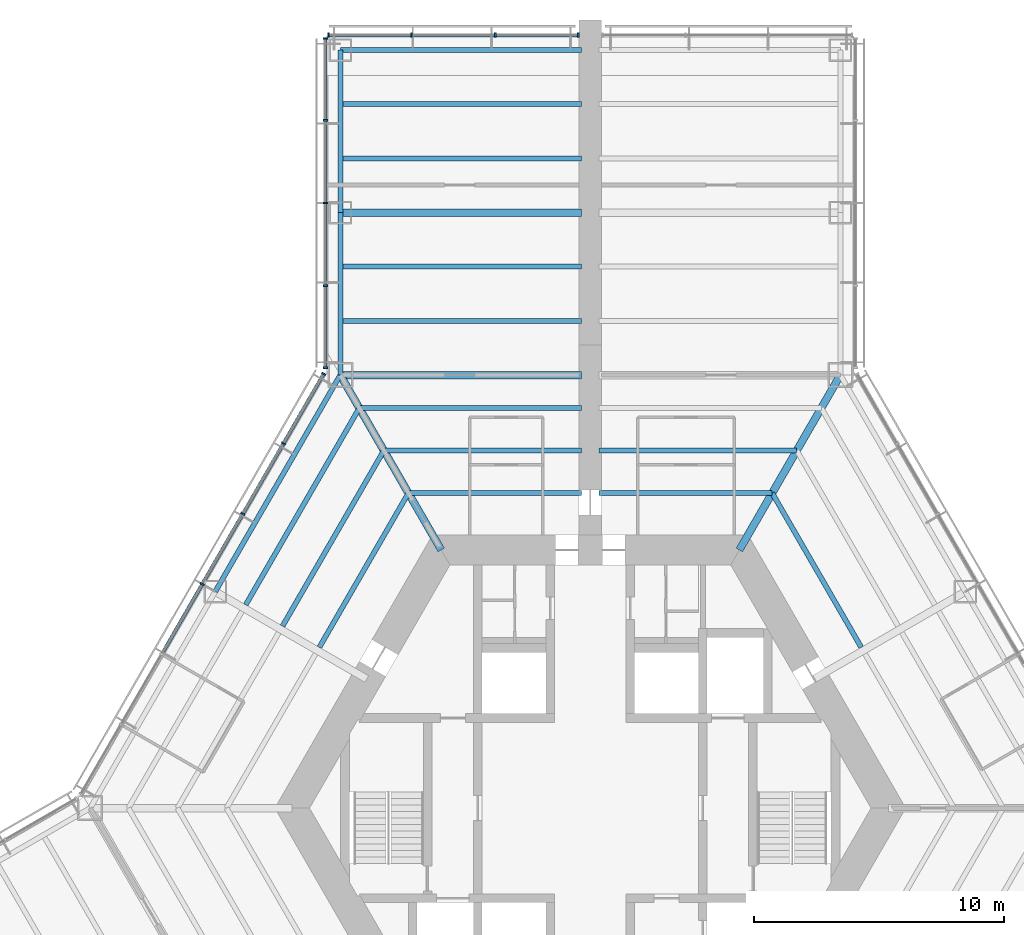
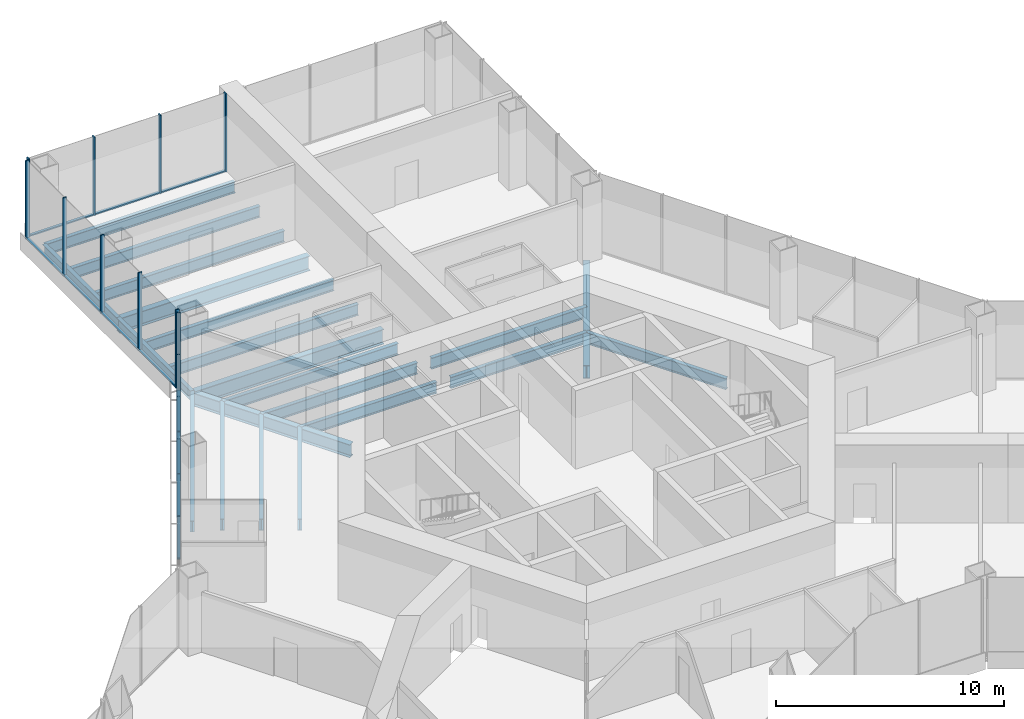
# One storey, part 6 of 16: 24 members, 21 beams, 3 elements without a shape of their own.
"""IFC4 building model written with IfcOpenShell, lengths in metres."""

import ifcopenshell
import ifcopenshell.guid

model = None  # the IFC model being written
_history = None  # IfcOwnerHistory: only IFC2X3 demands one
_inside = {}  # id of a spatial element -> (the spatial element, [elements in it])
_under = {}  # id of a project, library or spatial element -> (it, [spatial elements below it])
_declared = {}  # id of a project -> (the project, [libraries it declares])
_typed = {}  # id of a type object -> (the type object, [elements of that type])
_made_of = {}  # id of a material, layer set ... -> (it, [elements and type objects made of it])


def new_model(schema):
    """Start an empty IFC model of exactly this schema.

    Asked for "IFC4X3", IfcOpenShell would pick the latest addendum, in which some entities
    have other attributes; the version numbers below select the first issue.
    IFC2X3 requires an IfcOwnerHistory on every rooted entity: one is made here for all.
    """
    global model, _history
    if schema == "IFC4X3":
        model = ifcopenshell.file(schema_version=(4, 3, 0, 0))
    else:
        model = ifcopenshell.file(schema=schema)
    _inside.clear()
    _under.clear()
    _declared.clear()
    _typed.clear()
    _made_of.clear()
    _history = None
    if model.schema == "IFC2X3":
        org = make("IfcOrganization", Name="unknown")
        user = make(
            "IfcPersonAndOrganization",
            ThePerson=make("IfcPerson", FamilyName="unknown"),
            TheOrganization=org,
        )
        app = make(
            "IfcApplication",
            ApplicationDeveloper=org,
            Version="unknown",
            ApplicationFullName="unknown",
            ApplicationIdentifier="unknown",
        )
        _history = make(
            "IfcOwnerHistory",
            OwningUser=user,
            OwningApplication=app,
            ChangeAction="ADDED",
            CreationDate=0,
        )
    return model


def make(cls, **values):
    """One entity of the class cls with the attributes given. An attribute that is None is left unset."""
    return model.create_entity(
        cls, **{name: value for name, value in values.items() if value is not None}
    )


def rooted(cls, **values):
    """An entity with a GlobalId (a new one), such as an element, a storey or a relation."""
    return make(cls, GlobalId=ifcopenshell.guid.new(), OwnerHistory=_history, **values)


def si_unit(unit_type, name, prefix=None):
    """IfcSIUnit, for example si_unit("LENGTHUNIT", "METRE", prefix="MILLI")."""
    return make("IfcSIUnit", UnitType=unit_type, Prefix=prefix, Name=name)


def assignment(units):
    """IfcUnitAssignment: the units of a project."""
    return None if units is None else make("IfcUnitAssignment", Units=units)


def point(xyz):
    """IfcCartesianPoint."""
    return None if xyz is None else make("IfcCartesianPoint", Coordinates=xyz)


def direction(xyz):
    """IfcDirection."""
    return None if xyz is None else make("IfcDirection", DirectionRatios=xyz)


def frame(location, z_axis=None, x_axis=None):
    """IfcAxis2Placement3D, a coordinate frame: its origin and axes. An axis left out is left unset."""
    return make(
        "IfcAxis2Placement3D",
        Location=point(location),
        Axis=direction(z_axis),
        RefDirection=direction(x_axis),
    )


def frame_2d(location, x_axis=None):
    """IfcAxis2Placement2D, a coordinate frame in the plane: its origin and x axis."""
    return make(
        "IfcAxis2Placement2D", Location=point(location), RefDirection=direction(x_axis)
    )


def origin():
    """The frame at (0, 0, 0) with its axes left unset."""
    return frame((0.0, 0.0, 0.0))


def origin_2d():
    """The frame at (0, 0) in the plane with its x axis left unset."""
    return frame_2d((0.0, 0.0))


def place(relative_to, where):
    """IfcLocalPlacement: puts the frame where relative to a parent placement (None: the world)."""
    return make(
        "IfcLocalPlacement", PlacementRelTo=relative_to, RelativePlacement=where
    )


def context(
    kind, dimensions, precision=None, world=None, true_north=None, identifier=None
):
    """IfcGeometricRepresentationContext, for example the 3D "Model" context."""
    return make(
        "IfcGeometricRepresentationContext",
        ContextIdentifier=identifier,
        ContextType=kind,
        CoordinateSpaceDimension=dimensions,
        Precision=precision,
        WorldCoordinateSystem=world,
        TrueNorth=true_north,
    )


def subcontext(parent, identifier, kind, view, scale=None):
    """IfcGeometricRepresentationSubContext, for example "Body" below "Model"."""
    return make(
        "IfcGeometricRepresentationSubContext",
        ContextIdentifier=identifier,
        ContextType=kind,
        ParentContext=parent,
        TargetScale=scale,
        TargetView=view,
    )


def project(units=None, contexts=None):
    """IfcProject with its units and contexts."""
    return rooted(
        "IfcProject",
        Name="project",
        RepresentationContexts=contexts,
        UnitsInContext=assignment(units),
    )


def spatial(cls, under=None, at=None, **own):
    """A site, building, storey or space (cls), placed at a placement, below another one or the project."""
    s = rooted(cls, ObjectPlacement=at, **own)
    if under is not None:
        _under.setdefault(under.id(), (under, []))[1].append(s)
    return s


def profile(cls, at=None, kind="AREA", **sizes):
    """A parametric profile (cls). Its sizes go by their IFC names, for example OverallWidth=200.0."""
    return make(cls, ProfileType=kind, Position=at, **sizes)


def rectangle(**sizes):
    """IfcRectangleProfileDef."""
    return profile("IfcRectangleProfileDef", **sizes)


def i_section(**sizes):
    """IfcIShapeProfileDef."""
    return profile("IfcIShapeProfileDef", **sizes)


def extrude(swept, where, along, depth):
    """IfcExtrudedAreaSolid: the profile swept, set in the frame where, extruded along a direction by depth."""
    return make(
        "IfcExtrudedAreaSolid",
        SweptArea=swept,
        Position=where,
        ExtrudedDirection=direction(along),
        Depth=depth,
    )


def shape(context_of_items, identifier, shape_type, items):
    """IfcShapeRepresentation: the items that make up one representation, for example the "Body"."""
    return make(
        "IfcShapeRepresentation",
        ContextOfItems=context_of_items,
        RepresentationIdentifier=identifier,
        RepresentationType=shape_type,
        Items=items,
    )


def material(Name=None, Category=None):
    """IfcMaterial."""
    return make("IfcMaterial", Name=Name, Category=Category)


def material_profile(
    of_material, cross_section, Name=None, Category=None, Priority=None
):
    """IfcMaterialProfile: a cross section and its material."""
    return make(
        "IfcMaterialProfile",
        Name=Name,
        Material=of_material,
        Profile=cross_section,
        Priority=Priority,
        Category=Category,
    )


def profile_set(profiles, Name=None, composite=None):
    """IfcMaterialProfileSet."""
    return make(
        "IfcMaterialProfileSet",
        Name=Name,
        MaterialProfiles=profiles,
        CompositeProfile=composite,
    )


def made_of(thing, what):
    """Note that an element or type object is made of a material, layer set ...; save() writes the relation."""
    if what is not None:
        _made_of.setdefault(what.id(), (what, []))[1].append(thing)
    return thing


def type_object(cls, material=None, **own):
    """A type object (cls), such as IfcWallType, which elements share."""
    return made_of(rooted(cls, **own), material)


def element(
    cls,
    number,
    at=None,
    inside=None,
    cuts=None,
    type_object=None,
    material=None,
    context=None,
    identifier="Body",
    shape_type=None,
    held_by="IfcProductDefinitionShape",
    body=None,
    shapes=None,
    **own,
):
    """One element of the class cls, such as IfcWall. Its Tag is "e" and its number.

    at: its placement. inside: the storey or other place that contains it. cuts: it is an
    opening in that element (IfcRelVoidsElement). A single representation is given by context,
    identifier, shape_type and body (its items); several are given by shapes. held_by: the class
    of the entity that holds the representations. save() writes the other relations.
    """
    e = rooted(cls, Tag="e%d" % number, ObjectPlacement=at, **own)
    if body is not None:
        shapes = [shape(context, identifier, shape_type, body)]
    if shapes is not None:
        e.Representation = make(held_by, Representations=shapes)
    if inside is not None:
        _inside.setdefault(inside.id(), (inside, []))[1].append(e)
    if cuts is not None:
        rooted(
            "IfcRelVoidsElement", RelatingBuildingElement=cuts, RelatedOpeningElement=e
        )
    if type_object is not None:
        _typed.setdefault(type_object.id(), (type_object, []))[1].append(e)
    return made_of(e, material)


def aggregate(whole, parts):
    """IfcRelAggregates: a whole, such as a stair, and the parts it consists of."""
    return rooted("IfcRelAggregates", RelatingObject=whole, RelatedObjects=parts)


def save(model, path):
    """Write the relations noted so far, then the file.

    IfcRelAggregates (storeys below a building ...), IfcRelContainedInSpatialStructure (elements
    in a storey), IfcRelDefinesByType, IfcRelAssociatesMaterial and IfcRelDeclares: one each for
    every whole, place, type object, material and project.
    """
    for whole, parts in _under.values():
        aggregate(whole, parts)
    for where, things in _inside.values():
        rooted(
            "IfcRelContainedInSpatialStructure",
            RelatedElements=things,
            RelatingStructure=where,
        )
    for kind, things in _typed.values():
        rooted("IfcRelDefinesByType", RelatedObjects=things, RelatingType=kind)
    for what, things in _made_of.values():
        rooted("IfcRelAssociatesMaterial", RelatedObjects=things, RelatingMaterial=what)
    for by, libraries in _declared.values():
        rooted("IfcRelDeclares", RelatingContext=by, RelatedDefinitions=libraries)
    model.write(path)


model = new_model("IFC4")

# Units and contexts
model_context = context("Model", 3, precision=1e-05, world=origin(), true_north=direction((0.0, 1.0)))
body_context = subcontext(model_context, "Body", "Model", "MODEL_VIEW")
ifc_project = project(units=[si_unit("LENGTHUNIT", "METRE"), si_unit("AREAUNIT", "SQUARE_METRE"), si_unit("VOLUMEUNIT", "CUBIC_METRE"), si_unit("PLANEANGLEUNIT", "RADIAN"), si_unit("MASSUNIT", "GRAM", prefix="KILO")], contexts=[model_context])

# Site, building, storey
site_placement = place(None, origin())
site = spatial("IfcSite", under=ifc_project, at=site_placement, CompositionType="ELEMENT")
building_placement = place(site_placement, origin())
building = spatial("IfcBuilding", under=site, at=building_placement, Name="Kasaneha Research Tower", CompositionType="ELEMENT")
storey_placement = place(building_placement, frame((0.0, 0.0, 26.800048828125)))
storey = spatial("IfcBuildingStorey", under=building, at=storey_placement, Name="L07", CompositionType="ELEMENT", Elevation=26.800048828125)

# Beams
ifc_material_1 = material(Name="Steel SN490B", Category="steel")
ifc_material_profile_1 = material_profile(ifc_material_1, i_section(OverallWidth=0.199951171875, OverallDepth=0.60009765625, WebThickness=0.010986328125, FlangeThickness=0.01708984375, FilletRadius=0.012939453125, at=origin_2d()), Name="H-600x200x11x17")
ifc_profile_set_1 = profile_set([ifc_material_profile_1], Name="Steel SN490B")
beam_type_1 = type_object("IfcBeamType", Name="B1-1 secondary beam H-600x200x11x17", PredefinedType="JOIST", material=ifc_profile_set_1)
beam_1_placement = place(storey_placement, frame((7.274658203125, 12.60009765625, -0.5), z_axis=(0.499990404686, -0.866030943571, 0.0), x_axis=(0.866030943571, 0.499990404686, 0.0)))
element("IfcBeam", 1, at=beam_1_placement, inside=storey, type_object=beam_type_1, Name="Secondary beam RS030R1 L07", PredefinedType="JOIST", context=body_context, shape_type="SweptSolid", body=[
    extrude(i_section(OverallWidth=0.199951171875, OverallDepth=0.60009765625, WebThickness=0.010986328125, FlangeThickness=0.01708984375, FilletRadius=0.012939453125, at=origin_2d()), origin(), (0.0, 0.0, 1.0), 7.124755859375),
])
beam_2_placement = place(storey_placement, frame((7.274658203125, 12.60009765625, -0.5), z_axis=(-1.0, 0.0, 0.0), x_axis=(0.0, -1.0, 0.0)))
element("IfcBeam", 2, at=beam_2_placement, inside=storey, type_object=beam_type_1, Name="Secondary beam RS090L1 L07", PredefinedType="JOIST", context=body_context, shape_type="SweptSolid", body=[
    extrude(i_section(OverallWidth=0.199951171875, OverallDepth=0.60009765625, WebThickness=0.010986328125, FlangeThickness=0.01708984375, FilletRadius=0.012939453125, at=origin_2d()), origin(), (0.0, 0.0, 1.0), 6.924560546875),
])
beam_3_placement = place(storey_placement, frame((8.256103515625, 14.300048828125, -0.5), z_axis=(-1.0, 0.0, 0.0), x_axis=(0.0, -1.0, 0.0)))
element("IfcBeam", 3, at=beam_3_placement, inside=storey, type_object=beam_type_1, Name="Secondary beam RS090L2 L07", PredefinedType="JOIST", context=body_context, shape_type="SweptSolid", body=[
    extrude(i_section(OverallWidth=0.199951171875, OverallDepth=0.60009765625, WebThickness=0.010986328125, FlangeThickness=0.01708984375, FilletRadius=0.012939453125, at=origin_2d()), origin(), (0.0, 0.0, 1.0), 7.906005859375),
])
beam_4_placement = place(storey_placement, frame((-7.274658203125, 12.60009765625, -0.5), z_axis=(1.0, 0.0, 0.0), x_axis=(0.0, 1.0, 0.0)))
element("IfcBeam", 4, at=beam_4_placement, inside=storey, type_object=beam_type_1, Name="Secondary beam RS090R1 L07", PredefinedType="JOIST", context=body_context, shape_type="SweptSolid", body=[
    extrude(i_section(OverallWidth=0.199951171875, OverallDepth=0.60009765625, WebThickness=0.010986328125, FlangeThickness=0.01708984375, FilletRadius=0.012939453125, at=origin_2d()), origin(), (0.0, 0.0, 1.0), 6.924560546875),
])
beam_5_placement = place(storey_placement, frame((-8.256103515625, 14.300048828125, -0.5), z_axis=(1.0, 0.0, 0.0), x_axis=(0.0, 1.0, 0.0)))
element("IfcBeam", 5, at=beam_5_placement, inside=storey, type_object=beam_type_1, Name="Secondary beam RS090R2 L07", PredefinedType="JOIST", context=body_context, shape_type="SweptSolid", body=[
    extrude(i_section(OverallWidth=0.199951171875, OverallDepth=0.60009765625, WebThickness=0.010986328125, FlangeThickness=0.01708984375, FilletRadius=0.012939453125, at=origin_2d()), origin(), (0.0, 0.0, 1.0), 7.906005859375),
])
beam_6_placement = place(storey_placement, frame((-9.237548828125, 16.0, -0.5), z_axis=(1.0, 0.0, 0.0), x_axis=(0.0, 1.0, 0.0)))
element("IfcBeam", 6, at=beam_6_placement, inside=storey, type_object=beam_type_1, Name="Secondary beam RS090R3 L07", PredefinedType="JOIST", context=body_context, shape_type="SweptSolid", body=[
    extrude(i_section(OverallWidth=0.199951171875, OverallDepth=0.60009765625, WebThickness=0.010986328125, FlangeThickness=0.01708984375, FilletRadius=0.012939453125, at=origin_2d()), origin(), (0.0, 0.0, 1.0), 8.887451171875),
])
beam_7_placement = place(storey_placement, frame((-7.274658203125, 12.60009765625, -0.5), z_axis=(-0.499990404686, -0.866030943571, 0.0), x_axis=(0.866030943571, -0.499990404686, 0.0)))
element("IfcBeam", 7, at=beam_7_placement, inside=storey, type_object=beam_type_1, Name="Secondary beam RS150L1 L07", PredefinedType="JOIST", context=body_context, shape_type="SweptSolid", body=[
    extrude(i_section(OverallWidth=0.199951171875, OverallDepth=0.60009765625, WebThickness=0.010986328125, FlangeThickness=0.01708984375, FilletRadius=0.012939453125, at=origin_2d()), origin(), (0.0, 0.0, 1.0), 7.124755859375),
])
beam_8_placement = place(storey_placement, frame((-8.256103515625, 14.300048828125, -0.5), z_axis=(-0.499984030215, -0.866034623748, 0.0), x_axis=(0.866034623748, -0.499984030215, 0.0)))
element("IfcBeam", 8, at=beam_8_placement, inside=storey, type_object=beam_type_1, Name="Secondary beam RS150L2 L07", PredefinedType="JOIST", context=body_context, shape_type="SweptSolid", body=[
    extrude(i_section(OverallWidth=0.199951171875, OverallDepth=0.60009765625, WebThickness=0.010986328125, FlangeThickness=0.01708984375, FilletRadius=0.012939453125, at=origin_2d()), origin(), (0.0, 0.0, 1.0), 8.106201171875),
])
beam_9_placement = place(storey_placement, frame((-9.237548828125, 16.0, -0.5), z_axis=(-0.500010814234, -0.866019160093, 0.0), x_axis=(0.866019160093, -0.500010814234, 0.0)))
element("IfcBeam", 9, at=beam_9_placement, inside=storey, type_object=beam_type_1, Name="Secondary beam RS150L3 L07", PredefinedType="JOIST", context=body_context, shape_type="SweptSolid", body=[
    extrude(i_section(OverallWidth=0.199951171875, OverallDepth=0.60009765625, WebThickness=0.010986328125, FlangeThickness=0.01708984375, FilletRadius=0.012939453125, at=origin_2d()), origin(), (0.0, 0.0, 1.0), 9.087646484375),
])
ifc_material_2 = material(Name="Steel SN490B", Category="steel")
ifc_material_profile_2 = material_profile(ifc_material_2, i_section(OverallWidth=0.198974609375, OverallDepth=0.595947265625, WebThickness=0.010009765625, FlangeThickness=0.014892578125, FilletRadius=0.012939453125, at=origin_2d()), Name="H-596x199x10x15")
ifc_profile_set_2 = profile_set([ifc_material_profile_2], Name="Steel SN490B")
beam_type_2 = type_object("IfcBeamType", Name="B2-1 secondary beam H-596x199x10x15", PredefinedType="JOIST", material=ifc_profile_set_2)
for number, where, z_axis, x_axis, name in (
    (10, (-10.0, 19.487060546875, -0.498046875), (1.0, 0.0, 0.0), (0.0, 1.0, 0.0), "Secondary beam WBAN1 L07"),
    (11, (-10.0, 21.65380859375, -0.498046875), (1.0, 0.0, 0.0), (0.0, 1.0, 0.0), "Secondary beam WBAN2 L07"),
    (12, (-10.0, 25.987060546875, -0.498046875), (1.0, 0.0, 0.0), (0.0, 1.0, 0.0), "Secondary beam WBAN3 L07"),
    (13, (-10.0, 28.15380859375, -0.498046875), (1.0, 0.0, 0.0), (0.0, 1.0, 0.0), "Secondary beam WBAN4 L07"),
):
    element("IfcBeam", number, at=place(storey_placement, frame(where, z_axis=z_axis, x_axis=x_axis)), inside=storey, type_object=beam_type_2, Name=name, PredefinedType="JOIST", context=body_context, shape_type="SweptSolid", body=[
        extrude(i_section(OverallWidth=0.198974609375, OverallDepth=0.595947265625, WebThickness=0.010009765625, FlangeThickness=0.014892578125, FilletRadius=0.012939453125, at=origin_2d()), origin(), (0.0, 0.0, 1.0), 9.64990234375),
    ])

# Curtain wall, members
ifc_material_3 = material(Name="Glass and aluminium", Category="aluminium")
curtain_wall_type = type_object("IfcCurtainWallType", Name="Wet laboratory curtain wall", PredefinedType="USERDEFINED", material=ifc_material_3)
curtain_wall_1_placement = place(storey_placement, origin())
curtain_wall_1 = element("IfcCurtainWall", 14, at=curtain_wall_1_placement, inside=storey, type_object=curtain_wall_type, Name="CW-L1 L07 run 10a", ObjectType="UNITISED CURTAIN WALL", PredefinedType="USERDEFINED")
ifc_material_4 = material(Name="Aluminium 6063-T6", Category="aluminium")
ifc_material_profile_3 = material_profile(ifc_material_4, rectangle(XDim=0.06494140625, YDim=0.179931640625, at=origin_2d()), Name="CW-L1 mullion 65x180")
ifc_profile_set_3 = profile_set([ifc_material_profile_3], Name="Aluminium 6063-T6")
member_type_1 = type_object("IfcMemberType", Name="CW-L1 mullion", PredefinedType="MULLION", material=ifc_profile_set_3)
member_1_placement = place(storey_placement, frame((-0.482421875, 30.92041015625, 0.0), z_axis=(0.0, 0.0, 1.0), x_axis=(-1.0, 0.0, 0.0)))
member_1 = element("IfcMember", 15, at=member_1_placement, type_object=member_type_1, Name="CW-L1 mullion 1", PredefinedType="MULLION", context=body_context, shape_type="SweptSolid", body=[
    extrude(rectangle(XDim=0.06494140625, YDim=0.179931640625, at=origin_2d()), origin(), (0.0, 0.0, 1.0), 4.199951171875),
])
member_2_placement = place(storey_placement, frame((-3.800048828125, 30.92041015625, 0.0), z_axis=(0.0, 0.0, 1.0), x_axis=(-1.0, 0.0, 0.0)))
member_2 = element("IfcMember", 16, at=member_2_placement, type_object=member_type_1, Name="CW-L1 mullion 2", PredefinedType="MULLION", context=body_context, shape_type="SweptSolid", body=[
    extrude(rectangle(XDim=0.06494140625, YDim=0.179931640625, at=origin_2d()), origin(), (0.0, 0.0, 1.0), 4.199951171875),
])
member_3_placement = place(storey_placement, frame((-7.14990234375, 30.92041015625, 0.0), z_axis=(0.0, 0.0, 1.0), x_axis=(-1.0, 0.0, 0.0)))
member_3 = element("IfcMember", 17, at=member_3_placement, type_object=member_type_1, Name="CW-L1 mullion 3", PredefinedType="MULLION", context=body_context, shape_type="SweptSolid", body=[
    extrude(rectangle(XDim=0.06494140625, YDim=0.179931640625, at=origin_2d()), origin(), (0.0, 0.0, 1.0), 4.199951171875),
])
member_4_placement = place(storey_placement, frame((-10.467529296875, 30.92041015625, 0.0), z_axis=(0.0, 0.0, 1.0), x_axis=(-1.0, 0.0, 0.0)))
member_4 = element("IfcMember", 18, at=member_4_placement, type_object=member_type_1, Name="CW-L1 mullion 4", PredefinedType="MULLION", context=body_context, shape_type="SweptSolid", body=[
    extrude(rectangle(XDim=0.06494140625, YDim=0.179931640625, at=origin_2d()), origin(), (0.0, 0.0, 1.0), 4.199951171875),
])

curtain_wall_2_placement = place(storey_placement, origin())
curtain_wall_2 = element("IfcCurtainWall", 19, at=curtain_wall_2_placement, inside=storey, type_object=curtain_wall_type, Name="CW-L1 L07 run 11a", ObjectType="UNITISED CURTAIN WALL", PredefinedType="USERDEFINED")
member_5_placement = place(storey_placement, frame((-10.60009765625, 30.7880859375, 0.0), z_axis=(0.0, 0.0, 1.0), x_axis=(0.0, -1.0, 0.0)))
member_5 = element("IfcMember", 20, at=member_5_placement, type_object=member_type_1, Name="CW-L1 mullion 1", PredefinedType="MULLION", context=body_context, shape_type="SweptSolid", body=[
    extrude(rectangle(XDim=0.06494140625, YDim=0.179931640625, at=origin_2d()), origin(), (0.0, 0.0, 1.0), 4.199951171875),
])
member_6_placement = place(storey_placement, frame((-10.60009765625, 27.5107421875, 0.0), z_axis=(0.0, 0.0, 1.0), x_axis=(0.0, -1.0, 0.0)))
member_6 = element("IfcMember", 21, at=member_6_placement, type_object=member_type_1, Name="CW-L1 mullion 2", PredefinedType="MULLION", context=body_context, shape_type="SweptSolid", body=[
    extrude(rectangle(XDim=0.06494140625, YDim=0.179931640625, at=origin_2d()), origin(), (0.0, 0.0, 1.0), 4.199951171875),
])
member_7_placement = place(storey_placement, frame((-10.60009765625, 24.200927734375, 0.0), z_axis=(0.0, 0.0, 1.0), x_axis=(0.0, -1.0, 0.0)))
member_7 = element("IfcMember", 22, at=member_7_placement, type_object=member_type_1, Name="CW-L1 mullion 3", PredefinedType="MULLION", context=body_context, shape_type="SweptSolid", body=[
    extrude(rectangle(XDim=0.06494140625, YDim=0.179931640625, at=origin_2d()), origin(), (0.0, 0.0, 1.0), 4.199951171875),
])
member_8_placement = place(storey_placement, frame((-10.60009765625, 20.89111328125, 0.0), z_axis=(0.0, 0.0, 1.0), x_axis=(0.0, -1.0, 0.0)))
member_8 = element("IfcMember", 23, at=member_8_placement, type_object=member_type_1, Name="CW-L1 mullion 4", PredefinedType="MULLION", context=body_context, shape_type="SweptSolid", body=[
    extrude(rectangle(XDim=0.06494140625, YDim=0.179931640625, at=origin_2d()), origin(), (0.0, 0.0, 1.0), 4.199951171875),
])
member_9_placement = place(storey_placement, frame((-10.60009765625, 17.61376953125, 0.0), z_axis=(0.0, 0.0, 1.0), x_axis=(0.0, -1.0, 0.0)))
member_9 = element("IfcMember", 24, at=member_9_placement, type_object=member_type_1, Name="CW-L1 mullion 5", PredefinedType="MULLION", context=body_context, shape_type="SweptSolid", body=[
    extrude(rectangle(XDim=0.06494140625, YDim=0.179931640625, at=origin_2d()), origin(), (0.0, 0.0, 1.0), 4.199951171875),
])

curtain_wall_3_placement = place(storey_placement, origin())
curtain_wall_3 = element("IfcCurtainWall", 25, at=curtain_wall_3_placement, inside=storey, type_object=curtain_wall_type, Name="CW-L1 L07 run 12a", ObjectType="UNITISED CURTAIN WALL", PredefinedType="USERDEFINED")
member_10_placement = place(storey_placement, frame((-10.666259765625, 17.366455078125, 0.0), z_axis=(0.0, 0.0, 1.0), x_axis=(-0.49999996188, -0.866025425793, 0.0)))
member_10 = element("IfcMember", 26, at=member_10_placement, type_object=member_type_1, Name="CW-L1 mullion 1", PredefinedType="MULLION", context=body_context, shape_type="SweptSolid", body=[
    extrude(rectangle(XDim=0.06494140625, YDim=0.179931640625, at=origin_2d()), origin(), (0.0, 0.0, 1.0), 4.199951171875),
])
member_11_placement = place(storey_placement, frame((-12.273193359375, 14.583251953125, 0.0), z_axis=(0.0, 0.0, 1.0), x_axis=(-0.49999996188, -0.866025425793, 0.0)))
member_11 = element("IfcMember", 27, at=member_11_placement, type_object=member_type_1, Name="CW-L1 mullion 2", PredefinedType="MULLION", context=body_context, shape_type="SweptSolid", body=[
    extrude(rectangle(XDim=0.06494140625, YDim=0.179931640625, at=origin_2d()), origin(), (0.0, 0.0, 1.0), 4.199951171875),
])
member_12_placement = place(storey_placement, frame((-13.896484375, 11.771728515625, 0.0), z_axis=(0.0, 0.0, 1.0), x_axis=(-0.49999996188, -0.866025425793, 0.0)))
member_12 = element("IfcMember", 28, at=member_12_placement, type_object=member_type_1, Name="CW-L1 mullion 3", PredefinedType="MULLION", context=body_context, shape_type="SweptSolid", body=[
    extrude(rectangle(XDim=0.06494140625, YDim=0.179931640625, at=origin_2d()), origin(), (0.0, 0.0, 1.0), 4.199951171875),
])
member_13_placement = place(storey_placement, frame((-15.51953125, 8.960205078125, 0.0), z_axis=(0.0, 0.0, 1.0), x_axis=(-0.49999996188, -0.866025425793, 0.0)))
member_13 = element("IfcMember", 29, at=member_13_placement, type_object=member_type_1, Name="CW-L1 mullion 4", PredefinedType="MULLION", context=body_context, shape_type="SweptSolid", body=[
    extrude(rectangle(XDim=0.06494140625, YDim=0.179931640625, at=origin_2d()), origin(), (0.0, 0.0, 1.0), 4.199951171875),
])

# Member
ifc_material_5 = material(Name="Aluminium 6063-T6", Category="aluminium")
ifc_material_profile_4 = material_profile(ifc_material_5, rectangle(XDim=0.139892578125, YDim=0.06494140625, at=origin_2d()), Name="CW-L1 transom 140x65")
ifc_profile_set_4 = profile_set([ifc_material_profile_4], Name="Aluminium 6063-T6")
member_type_2 = type_object("IfcMemberType", Name="CW-L1 transom", PredefinedType="USERDEFINED", material=ifc_profile_set_4)
member_14_placement = place(storey_placement, frame((-0.514892578125, 30.92041015625, 0.032470703125), z_axis=(-1.0, 0.0, 0.0), x_axis=(0.0, -1.0, 0.0)))
member_14 = element("IfcMember", 30, at=member_14_placement, type_object=member_type_2, Name="CW-L1 transom 1", ObjectType="TRANSOM", PredefinedType="USERDEFINED", context=body_context, shape_type="SweptSolid", body=[
    extrude(rectangle(XDim=0.139892578125, YDim=0.06494140625, at=origin_2d()), origin(), (0.0, 0.0, 1.0), 3.252685546875),
])

member_15_placement = place(storey_placement, frame((-3.83251953125, 30.92041015625, 0.032470703125), z_axis=(-1.0, 0.0, 0.0), x_axis=(0.0, -1.0, 0.0)))
member_15 = element("IfcMember", 31, at=member_15_placement, type_object=member_type_2, Name="CW-L1 transom 2", ObjectType="TRANSOM", PredefinedType="USERDEFINED", context=body_context, shape_type="SweptSolid", body=[
    extrude(rectangle(XDim=0.139892578125, YDim=0.06494140625, at=origin_2d()), origin(), (0.0, 0.0, 1.0), 3.284912109375),
])

member_16_placement = place(storey_placement, frame((-7.1826171875, 30.92041015625, 0.032470703125), z_axis=(-1.0, 0.0, 0.0), x_axis=(0.0, -1.0, 0.0)))
member_16 = element("IfcMember", 32, at=member_16_placement, type_object=member_type_2, Name="CW-L1 transom 3", ObjectType="TRANSOM", PredefinedType="USERDEFINED", context=body_context, shape_type="SweptSolid", body=[
    extrude(rectangle(XDim=0.139892578125, YDim=0.06494140625, at=origin_2d()), origin(), (0.0, 0.0, 1.0), 3.25244140625),
])

aggregate(curtain_wall_1, [member_1, member_2, member_3, member_4, member_14, member_15, member_16])

member_17_placement = place(storey_placement, frame((-10.60009765625, 30.755615234375, 0.032470703125), z_axis=(0.0, -1.0, 0.0), x_axis=(1.0, 0.0, 0.0)))
member_17 = element("IfcMember", 33, at=member_17_placement, type_object=member_type_2, Name="CW-L1 transom 1", ObjectType="TRANSOM", PredefinedType="USERDEFINED", context=body_context, shape_type="SweptSolid", body=[
    extrude(rectangle(XDim=0.139892578125, YDim=0.06494140625, at=origin_2d()), origin(), (0.0, 0.0, 1.0), 3.21240234375),
])

member_18_placement = place(storey_placement, frame((-10.60009765625, 27.478271484375, 0.032470703125), z_axis=(0.0, -1.0, 0.0), x_axis=(1.0, 0.0, 0.0)))
member_18 = element("IfcMember", 34, at=member_18_placement, type_object=member_type_2, Name="CW-L1 transom 2", ObjectType="TRANSOM", PredefinedType="USERDEFINED", context=body_context, shape_type="SweptSolid", body=[
    extrude(rectangle(XDim=0.139892578125, YDim=0.06494140625, at=origin_2d()), origin(), (0.0, 0.0, 1.0), 3.244873046875),
])

member_19_placement = place(storey_placement, frame((-10.60009765625, 24.16845703125, 0.032470703125), z_axis=(0.0, -1.0, 0.0), x_axis=(1.0, 0.0, 0.0)))
member_19 = element("IfcMember", 35, at=member_19_placement, type_object=member_type_2, Name="CW-L1 transom 3", ObjectType="TRANSOM", PredefinedType="USERDEFINED", context=body_context, shape_type="SweptSolid", body=[
    extrude(rectangle(XDim=0.139892578125, YDim=0.06494140625, at=origin_2d()), origin(), (0.0, 0.0, 1.0), 3.244873046875),
])

member_20_placement = place(storey_placement, frame((-10.60009765625, 20.858642578125, 0.032470703125), z_axis=(0.0, -1.0, 0.0), x_axis=(1.0, 0.0, 0.0)))
member_20 = element("IfcMember", 36, at=member_20_placement, type_object=member_type_2, Name="CW-L1 transom 4", ObjectType="TRANSOM", PredefinedType="USERDEFINED", context=body_context, shape_type="SweptSolid", body=[
    extrude(rectangle(XDim=0.139892578125, YDim=0.06494140625, at=origin_2d()), origin(), (0.0, 0.0, 1.0), 3.21240234375),
])

aggregate(curtain_wall_2, [member_5, member_6, member_7, member_8, member_9, member_17, member_18, member_19, member_20])

member_21_placement = place(storey_placement, frame((-10.6826171875, 17.33837890625, 0.032470703125), z_axis=(-0.499941702305, -0.866059059358, 0.0), x_axis=(0.866059059358, -0.499941702305, 0.0)))
member_21 = element("IfcMember", 37, at=member_21_placement, type_object=member_type_2, Name="CW-L1 transom 1", ObjectType="TRANSOM", PredefinedType="USERDEFINED", context=body_context, shape_type="SweptSolid", body=[
    extrude(rectangle(XDim=0.139892578125, YDim=0.06494140625, at=origin_2d()), origin(), (0.0, 0.0, 1.0), 3.14892578125),
])

member_22_placement = place(storey_placement, frame((-12.28955078125, 14.55517578125, 0.032470703125), z_axis=(-0.499943876812, -0.866057804098, 0.0), x_axis=(0.866057804098, -0.499943876812, 0.0)))
member_22 = element("IfcMember", 38, at=member_22_placement, type_object=member_type_2, Name="CW-L1 transom 2", ObjectType="TRANSOM", PredefinedType="USERDEFINED", context=body_context, shape_type="SweptSolid", body=[
    extrude(rectangle(XDim=0.139892578125, YDim=0.06494140625, at=origin_2d()), origin(), (0.0, 0.0, 1.0), 3.181396484375),
])

member_23_placement = place(storey_placement, frame((-13.91259765625, 11.74365234375, 0.032470703125), z_axis=(-0.500001430823, -0.866024577697, 0.0), x_axis=(0.866024577697, -0.500001430823, 0.0)))
member_23 = element("IfcMember", 39, at=member_23_placement, type_object=member_type_2, Name="CW-L1 transom 3", ObjectType="TRANSOM", PredefinedType="USERDEFINED", context=body_context, shape_type="SweptSolid", body=[
    extrude(rectangle(XDim=0.139892578125, YDim=0.06494140625, at=origin_2d()), origin(), (0.0, 0.0, 1.0), 3.181640625),
])

member_24_placement = place(storey_placement, frame((-15.535888671875, 8.93212890625, 0.032470703125), z_axis=(-0.499977104415, -0.866038622153, 0.0), x_axis=(0.866038622153, -0.499977104415, 0.0)))
member_24 = element("IfcMember", 40, at=member_24_placement, type_object=member_type_2, Name="CW-L1 transom 4", ObjectType="TRANSOM", PredefinedType="USERDEFINED", context=body_context, shape_type="SweptSolid", body=[
    extrude(rectangle(XDim=0.139892578125, YDim=0.06494140625, at=origin_2d()), origin(), (0.0, 0.0, 1.0), 3.181396484375),
])

aggregate(curtain_wall_3, [member_10, member_11, member_12, member_13, member_21, member_22, member_23, member_24])

# Beams
ifc_material_6 = material(Name="Steel SN490B", Category="steel")
ifc_material_profile_5 = material_profile(ifc_material_6, i_section(OverallWidth=0.300048828125, OverallDepth=0.699951171875, WebThickness=0.012939453125, FlangeThickness=0.02392578125, FilletRadius=0.01806640625, at=origin_2d()), Name="H-700x300x13x24")
ifc_profile_set_5 = profile_set([ifc_material_profile_5], Name="Steel SN490B")
beam_type_3 = type_object("IfcBeamType", Name="G1-1 radial girder H-700x300x13x24", PredefinedType="BEAM", material=ifc_profile_set_5)
for number, where, z_axis, x_axis, name in (
    (41, (5.961181640625, 10.324951171875, -0.550048828125), (0.49999105496, 0.866030568144, 0.0), (-0.866030568144, 0.49999105496, 0.0), "Radial girder RV060 L07"),
    (42, (-5.961181640625, 10.324951171875, -0.550048828125), (-0.49999105496, 0.866030568144, 0.0), (-0.866030568144, -0.49999105496, 0.0), "Radial girder RV120 L07"),
):
    element("IfcBeam", number, at=place(storey_placement, frame(where, z_axis=z_axis, x_axis=x_axis)), inside=storey, type_object=beam_type_3, Name=name, PredefinedType="BEAM", context=body_context, shape_type="SweptSolid", body=[
        extrude(i_section(OverallWidth=0.300048828125, OverallDepth=0.699951171875, WebThickness=0.012939453125, FlangeThickness=0.02392578125, FilletRadius=0.01806640625, at=origin_2d()), origin(), (0.0, 0.0, 1.0), 8.077880859375),
    ])
ifc_material_7 = material(Name="Steel SN490B", Category="steel")
ifc_material_profile_6 = material_profile(ifc_material_7, i_section(OverallWidth=0.300048828125, OverallDepth=0.7919921875, WebThickness=0.013916015625, FlangeThickness=0.02197265625, FilletRadius=0.01806640625, at=origin_2d()), Name="H-792x300x14x22")
ifc_profile_set_6 = profile_set([ifc_material_profile_6], Name="Steel SN490B")
beam_type_4 = type_object("IfcBeamType", Name="G3-1 plate edge girder H-792x300x14x22", PredefinedType="BEAM", material=ifc_profile_set_6)
beam_10_placement = place(storey_placement, frame((-10.0, 17.320556640625, -0.595947265625), z_axis=(1.0, 0.0, 0.0), x_axis=(0.0, 1.0, 0.0)))
element("IfcBeam", 43, at=beam_10_placement, inside=storey, type_object=beam_type_4, Name="Plate edge girder PEAN L07", PredefinedType="BEAM", context=body_context, shape_type="SweptSolid", body=[
    extrude(i_section(OverallWidth=0.300048828125, OverallDepth=0.7919921875, WebThickness=0.013916015625, FlangeThickness=0.02197265625, FilletRadius=0.01806640625, at=origin_2d()), origin(), (0.0, 0.0, 1.0), 9.64990234375),
])
ifc_material_8 = material(Name="Steel SN490B", Category="steel")
ifc_material_profile_7 = material_profile(ifc_material_8, i_section(OverallWidth=0.300048828125, OverallDepth=0.800048828125, WebThickness=0.013916015625, FlangeThickness=0.02587890625, FilletRadius=0.01806640625, at=origin_2d()), Name="H-800x300x14x26")
ifc_profile_set_7 = profile_set([ifc_material_profile_7], Name="Steel SN490B")
beam_type_5 = type_object("IfcBeamType", Name="G4-1 wing girder H-800x300x14x26", PredefinedType="BEAM", material=ifc_profile_set_7)
beam_11_placement = place(storey_placement, frame((-10.0, 23.820556640625, -0.60009765625), z_axis=(1.0, 0.0, 0.0), x_axis=(0.0, 1.0, 0.0)))
element("IfcBeam", 44, at=beam_11_placement, inside=storey, type_object=beam_type_5, Name="Wing girder WGAN L07", PredefinedType="BEAM", context=body_context, shape_type="SweptSolid", body=[
    extrude(i_section(OverallWidth=0.300048828125, OverallDepth=0.800048828125, WebThickness=0.013916015625, FlangeThickness=0.02587890625, FilletRadius=0.01806640625, at=origin_2d()), origin(), (0.0, 0.0, 1.0), 9.64990234375),
])
ifc_material_9 = material(Name="Steel SN490B", Category="steel")
ifc_material_profile_8 = material_profile(ifc_material_9, i_section(OverallWidth=0.199951171875, OverallDepth=0.60009765625, WebThickness=0.010986328125, FlangeThickness=0.01708984375, FilletRadius=0.012939453125, at=origin_2d()), Name="H-600x200x11x17")
ifc_profile_set_8 = profile_set([ifc_material_profile_8], Name="Steel SN490B")
beam_type_6 = type_object("IfcBeamType", Name="SB1-1 spandrel beam H-600x200x11x17", PredefinedType="SPANDREL", material=ifc_profile_set_8)
beam_12_placement = place(storey_placement, frame((-10.0, 17.320556640625, -0.5), z_axis=(-0.499993662806, -0.866029062534, 0.0), x_axis=(0.866029062534, -0.499993662806, 0.0)))
element("IfcBeam", 45, at=beam_12_placement, inside=storey, type_object=beam_type_6, Name="Spandrel beam SR150L L07", PredefinedType="SPANDREL", context=body_context, shape_type="SweptSolid", body=[
    extrude(i_section(OverallWidth=0.199951171875, OverallDepth=0.60009765625, WebThickness=0.010986328125, FlangeThickness=0.01708984375, FilletRadius=0.012939453125, at=origin_2d()), origin(), (0.0, 0.0, 1.0), 10.000244140625),
])
ifc_material_10 = material(Name="Steel SN490B", Category="steel")
ifc_material_profile_9 = material_profile(ifc_material_10, i_section(OverallWidth=0.199951171875, OverallDepth=0.5, WebThickness=0.010009765625, FlangeThickness=0.01611328125, FilletRadius=0.012939453125, at=origin_2d()), Name="H-500x200x10x16")
ifc_profile_set_9 = profile_set([ifc_material_profile_9], Name="Steel SN490B")
beam_type_7 = type_object("IfcBeamType", Name="SB2-1 spandrel beam H-500x200x10x16", PredefinedType="SPANDREL", material=ifc_profile_set_9)
for number, where, z_axis, x_axis, name in (
    (46, (-10.0, 17.320556640625, -0.449951171875), (0.0, 1.0, 0.0), (-1.0, 0.0, 0.0), "Spandrel beam WSAN1 L07"),
    (47, (-10.0, 23.820556640625, -0.449951171875), (0.0, 1.0, 0.0), (-1.0, 0.0, 0.0), "Spandrel beam WSAN2 L07"),
):
    element("IfcBeam", number, at=place(storey_placement, frame(where, z_axis=z_axis, x_axis=x_axis)), inside=storey, type_object=beam_type_7, Name=name, PredefinedType="SPANDREL", context=body_context, shape_type="SweptSolid", body=[
        extrude(i_section(OverallWidth=0.199951171875, OverallDepth=0.5, WebThickness=0.010009765625, FlangeThickness=0.01611328125, FilletRadius=0.012939453125, at=origin_2d()), origin(), (0.0, 0.0, 1.0), 6.5),
    ])
ifc_material_11 = material(Name="Steel SN490B", Category="steel")
ifc_material_profile_10 = material_profile(ifc_material_11, i_section(OverallWidth=0.199951171875, OverallDepth=0.60009765625, WebThickness=0.010986328125, FlangeThickness=0.01708984375, FilletRadius=0.012939453125, at=origin_2d()), Name="H-600x200x11x17")
ifc_profile_set_10 = profile_set([ifc_material_profile_10], Name="Steel SN490B")
beam_type_8 = type_object("IfcBeamType", Name="SB3-1 spandrel beam H-600x200x11x17", PredefinedType="SPANDREL", material=ifc_profile_set_10)
beam_13_placement = place(storey_placement, frame((-10.0, 30.320556640625, -0.5), z_axis=(1.0, 0.0, 0.0), x_axis=(0.0, 1.0, 0.0)))
element("IfcBeam", 48, at=beam_13_placement, inside=storey, type_object=beam_type_8, Name="Spandrel beam WTAN L07", PredefinedType="SPANDREL", context=body_context, shape_type="SweptSolid", body=[
    extrude(i_section(OverallWidth=0.199951171875, OverallDepth=0.60009765625, WebThickness=0.010986328125, FlangeThickness=0.01708984375, FilletRadius=0.012939453125, at=origin_2d()), origin(), (0.0, 0.0, 1.0), 9.64990234375),
])

save(model, "model.ifc")
